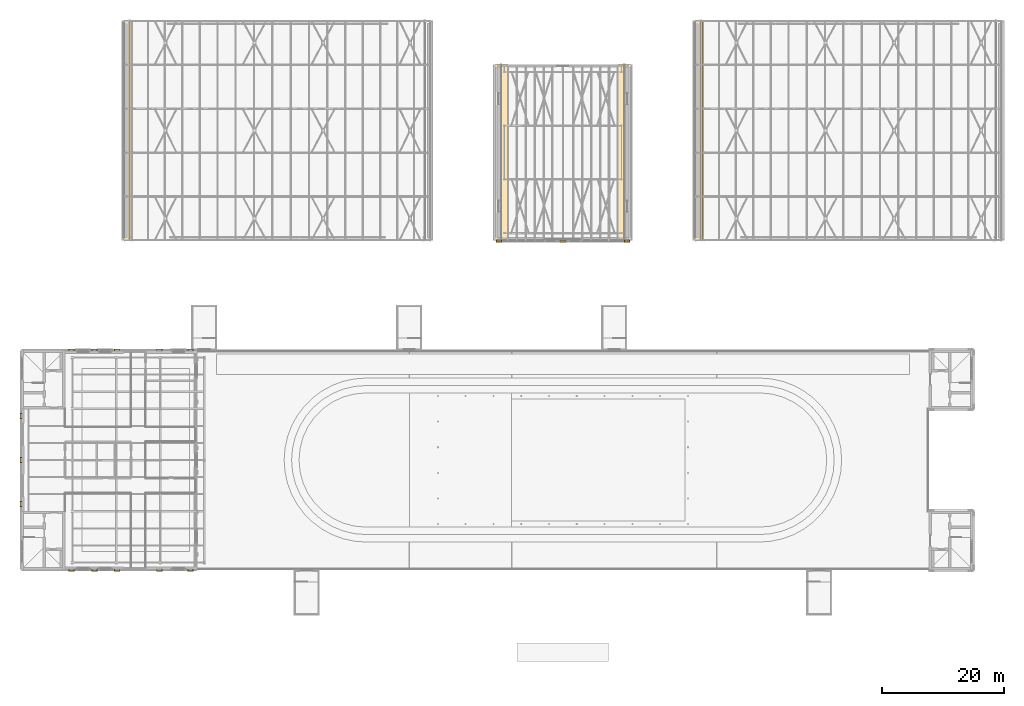
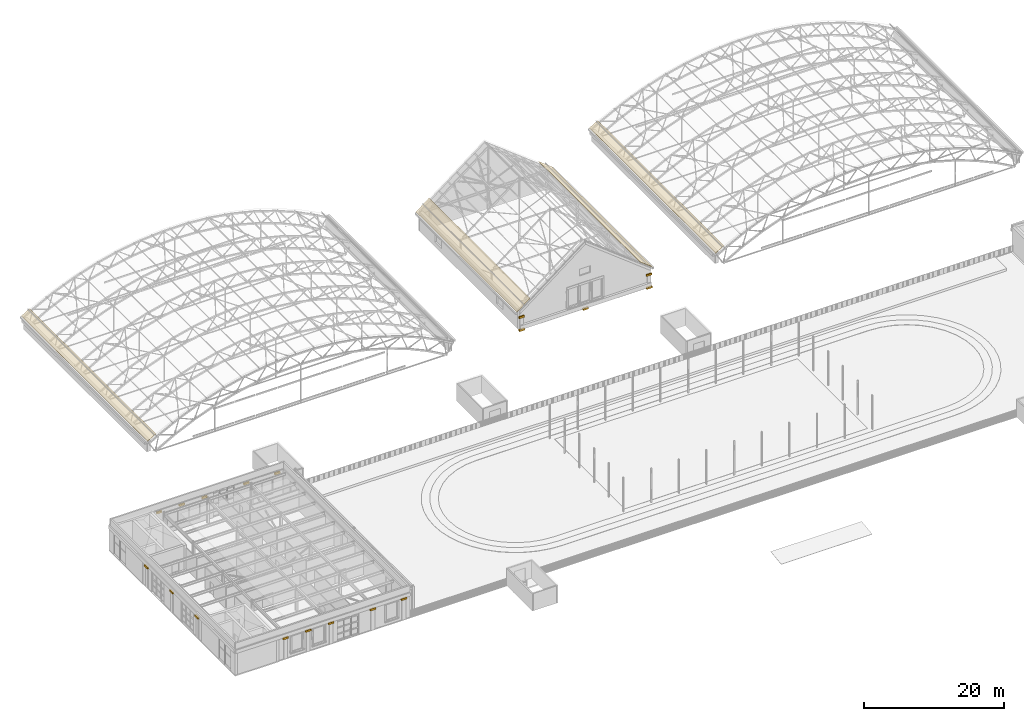
# One storey, part 126 of 127: 22 coverings.
"""IFC4 building model written with IfcOpenShell, lengths in metres."""

from ifc_helpers import new_model, si_unit, direction, frame, origin, origin_2d, place, context, subcontext, project, spatial, rectangle, extrude, polygons, material, layer, layer_set, type_object, element, save


model = new_model("IFC4")

# Units and contexts
model_context = context("Model", 3, precision=1e-05, world=origin(), true_north=direction((0.0, 1.0)))
body_context = subcontext(model_context, "Body", "Model", "MODEL_VIEW")
ifc_project = project(units=[si_unit("LENGTHUNIT", "METRE"), si_unit("AREAUNIT", "SQUARE_METRE"), si_unit("VOLUMEUNIT", "CUBIC_METRE"), si_unit("PLANEANGLEUNIT", "RADIAN"), si_unit("MASSUNIT", "GRAM", prefix="KILO")], contexts=[model_context])

# Site, building, storey
site_placement = place(None, origin())
site = spatial("IfcSite", under=ifc_project, at=site_placement, CompositionType="ELEMENT")
building_placement = place(site_placement, origin())
building = spatial("IfcBuilding", under=site, at=building_placement, Name="Verrick Yard Athletic Hall", CompositionType="ELEMENT")
storey_placement = place(building_placement, frame((0.0, 0.0, 14.0)))
storey = spatial("IfcBuildingStorey", under=building, at=storey_placement, Name="L03", CompositionType="ELEMENT", Elevation=14.0)

# Coverings
ifc_material_1 = material(Name="Standing-seam aluminium roofing", Category="aluminium")
ifc_layer_1 = layer(ifc_material_1, 0.050048828125)
ifc_layer_set_1 = layer_set([ifc_layer_1], Name="Roof covering standing seam")
covering_type_1 = type_object("IfcCoveringType", Name="Roof covering standing seam", PredefinedType="ROOFING", material=ifc_layer_set_1)
covering_1_placement = place(storey_placement, origin())
element("IfcCovering", 1, at=covering_1_placement, inside=storey, type_object=covering_type_1, Name="Court hall A roofing course 1", PredefinedType="ROOFING", context=body_context, shape_type="Tessellation", body=[
    polygons([(120.3369140625, 72.0, 2.10498046875), (121.736083984375, 72.0, 2.923583984375), (120.3369140625, 108.0, 2.10498046875), (121.736083984375, 108.0, 2.923583984375), (120.3115234375, 72.0, 2.148193359375), (121.710693359375, 72.0, 2.966796875), (120.3115234375, 108.0, 2.148193359375), (121.710693359375, 108.0, 2.966796875)], [[[1, 4, 2]], [[1, 3, 4]], [[5, 6, 8]], [[5, 8, 7]], [[1, 2, 6]], [[1, 6, 5]], [[3, 8, 4]], [[3, 7, 8]], [[1, 5, 7]], [[1, 7, 3]], [[2, 8, 6]], [[2, 4, 8]]], closed=True),
])
covering_2_placement = place(storey_placement, origin())
element("IfcCovering", 2, at=covering_2_placement, inside=storey, type_object=covering_type_1, Name="Court hall B roofing course 1", PredefinedType="ROOFING", context=body_context, shape_type="Tessellation", body=[
    polygons([(26.73681640625, 72.0, 2.10498046875), (28.135986328125, 72.0, 2.923583984375), (26.73681640625, 108.0, 2.10498046875), (28.135986328125, 108.0, 2.923583984375), (26.711669921875, 72.0, 2.148193359375), (28.11083984375, 72.0, 2.966796875), (26.711669921875, 108.0, 2.148193359375), (28.11083984375, 108.0, 2.966796875)], [[[1, 4, 2]], [[1, 3, 4]], [[5, 6, 8]], [[5, 8, 7]], [[1, 2, 6]], [[1, 6, 5]], [[3, 8, 4]], [[3, 7, 8]], [[1, 5, 7]], [[1, 7, 3]], [[2, 8, 6]], [[2, 4, 8]]], closed=True),
])
covering_3_placement = place(storey_placement, origin())
element("IfcCovering", 3, at=covering_3_placement, inside=storey, type_object=covering_type_1, Name="Climbing hall roofing course 1", PredefinedType="ROOFING", context=body_context, shape_type="Tessellation", body=[
    polygons([(87.60791015625, 72.0, 3.294921875), (89.785888671875, 72.0, 4.989013671875), (87.60791015625, 100.800048828125, 3.294921875), (89.785888671875, 100.800048828125, 4.989013671875), (87.5771484375, 72.0, 3.33447265625), (89.75537109375, 72.0, 5.028564453125), (87.5771484375, 100.800048828125, 3.33447265625), (89.75537109375, 100.800048828125, 5.028564453125)], [[[1, 4, 2]], [[1, 3, 4]], [[5, 6, 8]], [[5, 8, 7]], [[1, 2, 6]], [[1, 6, 5]], [[3, 8, 4]], [[3, 7, 8]], [[1, 5, 7]], [[1, 7, 3]], [[2, 8, 6]], [[2, 4, 8]]], closed=True),
])
covering_4_placement = place(storey_placement, origin())
element("IfcCovering", 4, at=covering_4_placement, inside=storey, type_object=covering_type_1, Name="Climbing hall roofing course 13", PredefinedType="ROOFING", context=body_context, shape_type="Tessellation", body=[
    polygons([(107.81396484375, 72.0, 4.989013671875), (109.9921875, 72.0, 3.294921875), (107.81396484375, 100.800048828125, 4.989013671875), (109.9921875, 100.800048828125, 3.294921875), (107.8447265625, 72.0, 5.028564453125), (110.022705078125, 72.0, 3.33447265625), (107.8447265625, 100.800048828125, 5.028564453125), (110.022705078125, 100.800048828125, 3.33447265625)], [[[1, 4, 2]], [[1, 3, 4]], [[5, 6, 8]], [[5, 8, 7]], [[1, 2, 6]], [[1, 6, 5]], [[3, 8, 4]], [[3, 7, 8]], [[1, 5, 7]], [[1, 7, 3]], [[2, 8, 6]], [[2, 4, 8]]], closed=True),
])
ifc_material_2 = material(Name="Tyndall-stone-look precast cladding", Category="masonry")
ifc_layer_2 = layer(ifc_material_2, 0.25)
ifc_layer_set_2 = layer_set([ifc_layer_2], Name="Stone moulding")
covering_type_2 = type_object("IfcCoveringType", Name="Stone moulding", PredefinedType="MOLDING", material=ifc_layer_set_2)
for number, where, z_axis, x_axis, name in (
    (5, (88.300048828125, 71.85009765625, 0.0), (0.0, 0.0, 1.0), (1.0, 0.0, 0.0), "Pilaster capital"),
    (6, (98.800048828125, 71.85009765625, 0.0), (0.0, 0.0, 1.0), (1.0, 0.0, 0.0), "Pilaster capital"),
    (7, (109.300048828125, 71.85009765625, 0.0), (0.0, 0.0, 1.0), (1.0, 0.0, 0.0), "Pilaster capital"),
):
    element("IfcCovering", number, at=place(storey_placement, frame(where, z_axis=z_axis, x_axis=x_axis)), inside=storey, type_object=covering_type_2, Name=name, PredefinedType="MOLDING", context=body_context, shape_type="SweptSolid", body=[
        extrude(rectangle(XDim=0.89990234375, YDim=0.300048828125, at=origin_2d()), origin(), (0.0, 0.0, 1.0), 0.300048828125),
    ])
for number, where, z_axis, x_axis, name in (
    (8, (88.300048828125, 71.889892578125, 2.2001953125), (0.0, 0.0, 1.0), (1.0, 0.0, 0.0), "Pilaster capital"),
    (9, (109.300048828125, 71.889892578125, 2.2001953125), (0.0, 0.0, 1.0), (1.0, 0.0, 0.0), "Pilaster capital"),
):
    element("IfcCovering", number, at=place(storey_placement, frame(where, z_axis=z_axis, x_axis=x_axis)), inside=storey, type_object=covering_type_2, Name=name, PredefinedType="MOLDING", context=body_context, shape_type="SweptSolid", body=[
        extrude(rectangle(XDim=0.89990234375, YDim=0.219970703125, at=origin_2d()), origin(), (0.0, 0.0, 1.0), 0.300048828125),
    ])
for number, where, z_axis, x_axis, name in (
    (10, (18.25, 17.9375, 3.5), (0.0, 0.0, 1.0), (1.0, 0.0, 0.0), "Pilaster capital"),
    (11, (22.0, 17.9375, 3.5), (0.0, 0.0, 1.0), (1.0, 0.0, 0.0), "Pilaster capital"),
    (12, (25.75, 17.9375, 3.5), (0.0, 0.0, 1.0), (1.0, 0.0, 0.0), "Pilaster capital"),
    (13, (32.64990234375, 17.9375, 3.5), (0.0, 0.0, 1.0), (1.0, 0.0, 0.0), "Pilaster capital"),
    (14, (37.75, 17.9375, 3.5), (0.0, 0.0, 1.0), (1.0, 0.0, 0.0), "Pilaster capital"),
    (15, (18.25, 54.0625, 3.5), (0.0, 0.0, 1.0), (1.0, 0.0, 0.0), "Pilaster capital"),
    (16, (22.0, 54.0625, 3.5), (0.0, 0.0, 1.0), (1.0, 0.0, 0.0), "Pilaster capital"),
    (17, (25.75, 54.0625, 3.5), (0.0, 0.0, 1.0), (1.0, 0.0, 0.0), "Pilaster capital"),
    (18, (32.64990234375, 54.0625, 3.5), (0.0, 0.0, 1.0), (1.0, 0.0, 0.0), "Pilaster capital"),
    (19, (37.75, 54.0625, 3.5), (0.0, 0.0, 1.0), (1.0, 0.0, 0.0), "Pilaster capital"),
    (20, (9.9375, 28.800048828125, 3.5), (0.0, 0.0, 1.0), (0.0, 1.0, 0.0), "Pilaster capital"),
    (21, (9.9375, 36.0, 3.5), (0.0, 0.0, 1.0), (0.0, 1.0, 0.0), "Pilaster capital"),
    (22, (9.9375, 43.199951171875, 3.5), (0.0, 0.0, 1.0), (0.0, 1.0, 0.0), "Pilaster capital"),
):
    element("IfcCovering", number, at=place(storey_placement, frame(where, z_axis=z_axis, x_axis=x_axis)), inside=storey, type_object=covering_type_2, Name=name, PredefinedType="MOLDING", context=body_context, shape_type="SweptSolid", body=[
        extrude(rectangle(XDim=0.89990234375, YDim=0.25, at=origin_2d()), origin(), (0.0, 0.0, 1.0), 0.300048828125),
    ])

save(model, "model.ifc")
